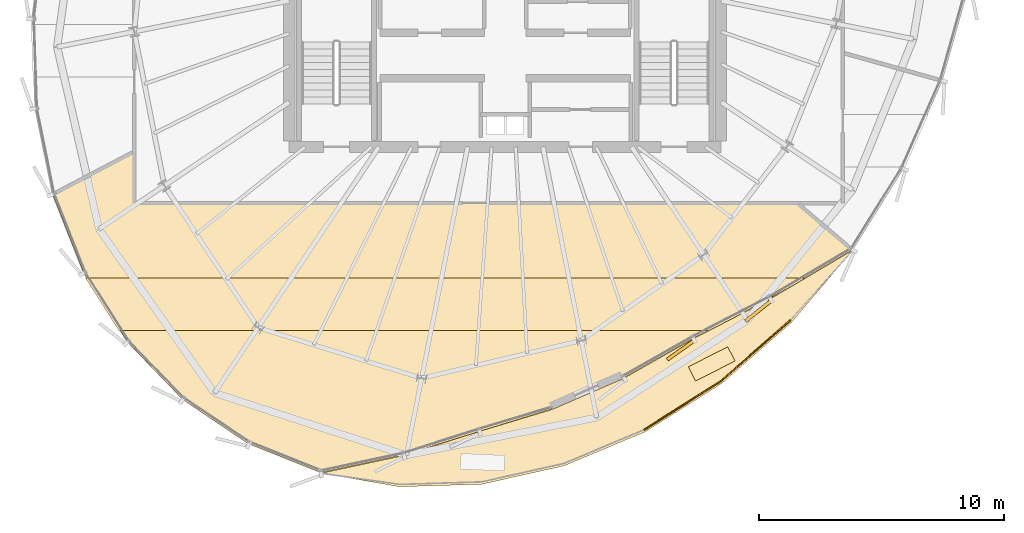
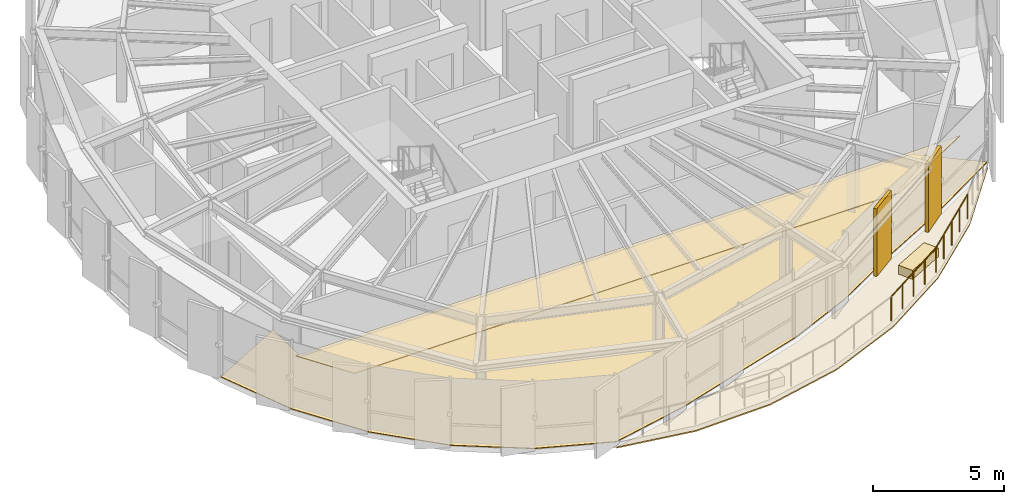
# One storey, part 29 of 31: 6 coverings, 2 railings.
"""IFC4 building model written with IfcOpenShell, lengths in metres."""

from ifc_helpers import new_model, si_unit, direction, frame, origin, origin_2d, place, context, subcontext, project, spatial, polyline, rectangle, circle, outline, extrude, source, transform, mapped, material, layer, layer_set, type_object, element, save


model = new_model("IFC4")

# Units and contexts
model_context = context("Model", 3, precision=1e-05, world=origin(), true_north=direction((0.0, 1.0)))
body_context = subcontext(model_context, "Body", "Model", "MODEL_VIEW")
ifc_project = project(units=[si_unit("LENGTHUNIT", "METRE"), si_unit("AREAUNIT", "SQUARE_METRE"), si_unit("VOLUMEUNIT", "CUBIC_METRE"), si_unit("PLANEANGLEUNIT", "RADIAN"), si_unit("MASSUNIT", "GRAM", prefix="KILO"), si_unit("THERMODYNAMICTEMPERATUREUNIT", "KELVIN")], contexts=[model_context])

# Site, building, storey
site_placement = place(None, origin())
site = spatial("IfcSite", under=ifc_project, at=site_placement, CompositionType="ELEMENT")
building_placement = place(site_placement, origin())
building = spatial("IfcBuilding", under=site, at=building_placement, Name="Kethvar Cultural Tower", CompositionType="ELEMENT")
storey_placement = place(building_placement, frame((0.0, 0.0, 283.60009765625)))
storey = spatial("IfcBuildingStorey", under=building, at=storey_placement, Name="L75", CompositionType="ELEMENT", Elevation=283.60009765625)

# Coverings
ifc_material_1 = material(Name="Acoustic Mineral Fibre Ceiling")
ifc_layer_1 = layer(ifc_material_1, 0.0400390625, Name="Acoustic Mineral Fibre Ceiling")
ifc_layer_set_1 = layer_set([ifc_layer_1], Name="Acoustic Mineral Fibre Ceiling (40 mm)")
covering_type_1 = type_object("IfcCoveringType", Name="CV-ACOUSTIC-CEIL", PredefinedType="CEILING", material=ifc_layer_set_1)
covering_1_placement = place(storey_placement, frame((0.0, 0.0, 2.559814453125)))
element("IfcCovering", 1, at=covering_1_placement, inside=storey, type_object=covering_type_1, Name="L75 Room 01 Acoustic Ceiling Panel", PredefinedType="CEILING", context=body_context, shape_type="SweptSolid", body=[
    extrude(outline(polyline([(59.0849609375, 14.75830078125), (55.139892578125, 12.6083984375), (31.063720703125, 12.6083984375), (29.695556640625, 14.75830078125), (59.0849609375, 14.75830078125)])), origin(), (0.0, 0.0, 1.0), 0.0400390625),
])
ifc_material_2 = material(Name="Insulated Waterproofing Membrane")
ifc_layer_2 = layer(ifc_material_2, 0.06005859375, Name="Insulated Waterproofing Membrane")
ifc_layer_set_2 = layer_set([ifc_layer_2], Name="Insulated Waterproofing Membrane (60 mm)")
covering_type_2 = type_object("IfcCoveringType", Name="CV-ROOF-MEMB", PredefinedType="ROOFING", material=ifc_layer_set_2)
covering_2_placement = place(storey_placement, frame((0.0, 0.0, -0.275146484375)))
element("IfcCovering", 2, at=covering_2_placement, inside=storey, type_object=covering_type_2, Name="L75 Terrace Waterproofing", PredefinedType="ROOFING", context=body_context, shape_type="SweptSolid", body=[
    extrude(outline(polyline([(39.2919921875, 6.802001953125), (42.498779296875, 6.248291015625), (45.83642578125, 6.34912109375), (49.203369140625, 7.101806640625), (52.4970703125, 8.4833984375), (55.617919921875, 10.451904296875), (58.470703125, 12.94775390625), (60.96875, 15.89453125), (57.60400390625, 13.90673828125), (54.468994140625, 12.283447265625), (51.613037109375, 10.660888671875), (48.710693359375, 9.399658203125), (45.757080078125, 8.509765625), (42.676513671875, 7.528564453125), (39.2919921875, 6.802001953125)])), origin(), (0.0, 0.0, 1.0), 0.06005859375),
])
ifc_material_3 = material(Name="Honed Warm Limestone", Category="masonry")
ifc_layer_3 = layer(ifc_material_3, 0.030029296875, Name="Honed Warm Limestone", Category="masonry")
ifc_layer_set_3 = layer_set([ifc_layer_3], Name="Honed Warm Limestone (30 mm)")
covering_type_3 = type_object("IfcCoveringType", Name="CV-STONE-FLOOR", PredefinedType="FLOORING", material=ifc_layer_set_3)
covering_3_placement = place(storey_placement, origin())
element("IfcCovering", 3, at=covering_3_placement, inside=storey, type_object=covering_type_3, Name="L75 Room 01 Floor Finish", PredefinedType="FLOORING", context=body_context, shape_type="SweptSolid", body=[
    extrude(outline(polyline([(57.59423828125, 13.92431640625), (54.459716796875, 12.30126953125), (51.60400390625, 10.6787109375), (48.703857421875, 9.41845703125), (42.67138671875, 7.5478515625), (39.293701171875, 6.822998046875), (36.32275390625, 8.01171875), (33.666015625, 9.80322265625), (31.408203125, 12.14111328125), (29.617919921875, 14.955078125), (28.355224609375, 18.144287109375), (31.659912109375, 19.8701171875), (31.677978515625, 17.787109375), (58.685546875, 17.787109375), (60.934326171875, 15.8974609375), (57.59423828125, 13.92431640625)])), origin(), (0.0, 0.0, 1.0), 0.02978515625),
])

# Railings
ifc_material_4 = material(Name="Steel S355J2", Category="steel")
railing_type = type_object("IfcRailingType", Name="RL-EXT-GUARD-1150", PredefinedType="BALUSTRADE", material=ifc_material_4)
railing_1_placement = place(storey_placement, frame((52.46875, 8.579345703125, 0.0)))
element("IfcRailing", 4, at=railing_1_placement, inside=storey, type_object=railing_type, Name="L75 Spiralling Terrace Balustrade 05", PredefinedType="BALUSTRADE", context=body_context, shape_type="SweptSolid", body=[
    extrude(circle(Radius=0.02392578125, at=origin_2d()), frame((0.0, 0.0, 1.1259765625), z_axis=(0.845316637412, 0.534265647889, 0.0), x_axis=(-0.534265647889, 0.845316637412, 0.0)), (0.0, 0.0, 1.0), 3.671630859375),
    extrude(circle(Radius=0.02099609375, at=origin_2d()), origin(), (0.0, 0.0, 1.0), 1.101806640625),
    extrude(circle(Radius=0.02099609375, at=origin_2d()), frame((0.77587890625, 0.490478515625, 0.0)), (0.0, 0.0, 1.0), 1.101806640625),
    extrude(circle(Radius=0.02099609375, at=origin_2d()), frame((1.5517578125, 0.98095703125, 0.0)), (0.0, 0.0, 1.0), 1.101806640625),
    extrude(circle(Radius=0.02099609375, at=origin_2d()), frame((2.327880859375, 1.47119140625, 0.0)), (0.0, 0.0, 1.0), 1.101806640625),
    extrude(circle(Radius=0.02099609375, at=origin_2d()), frame((3.103759765625, 1.961669921875, 0.0)), (0.0, 0.0, 1.0), 1.101806640625),
])
railing_2_placement = place(storey_placement, frame((55.572509765625, 10.541015625, 0.0)))
element("IfcRailing", 5, at=railing_2_placement, inside=storey, type_object=railing_type, Name="L75 Spiralling Terrace Balustrade 06", PredefinedType="BALUSTRADE", context=body_context, shape_type="SweptSolid", body=[
    extrude(circle(Radius=0.02392578125, at=origin_2d()), frame((0.0, 0.0, 1.1259765625), z_axis=(0.752091222535, 0.659059020867, 0.0), x_axis=(-0.659059020867, 0.752091222535, 0.0)), (0.0, 0.0, 1.0), 3.77099609375),
    extrude(circle(Radius=0.02099609375, at=origin_2d()), origin(), (0.0, 0.0, 1.0), 1.101806640625),
    extrude(circle(Radius=0.02099609375, at=origin_2d()), frame((0.708984375, 0.621337890625, 0.0)), (0.0, 0.0, 1.0), 1.101806640625),
    extrude(circle(Radius=0.02099609375, at=origin_2d()), frame((1.41796875, 1.24267578125, 0.0)), (0.0, 0.0, 1.0), 1.101806640625),
    extrude(circle(Radius=0.02099609375, at=origin_2d()), frame((2.127197265625, 1.864013671875, 0.0)), (0.0, 0.0, 1.0), 1.101806640625),
    extrude(circle(Radius=0.02099609375, at=origin_2d()), frame((2.836181640625, 2.4853515625, 0.0)), (0.0, 0.0, 1.0), 1.101806640625),
])

# Coverings
ifc_material_5 = material(Name="Extruded Architectural Terracotta", Category="masonry")
ifc_layer_4 = layer(ifc_material_5, 0.419921875, Name="Extruded Architectural Terracotta", Category="masonry")
ifc_layer_set_4 = layer_set([ifc_layer_4], Name="Extruded Architectural Terracotta (420 mm)")
covering_type_4 = type_object("IfcCoveringType", Name="Terracotta Terrace Planter PLANTER-01", PredefinedType="USERDEFINED", material=ifc_layer_set_4)
shared_shape_1 = source(origin(), body_context, "Body", "SweptSolid", [
    extrude(rectangle(XDim=1.800048828125, YDim=0.64990234375, at=origin_2d()), origin(), (0.0, 0.0, 1.0), 0.419921875),
])
covering_4_placement = place(storey_placement, frame((55.2099609375, 11.25439453125, 0.0), z_axis=(0.0, 0.0, 1.0), x_axis=(0.891481453292, 0.453057191132, 0.0)))
element("IfcCovering", 6, at=covering_4_placement, inside=storey, type_object=covering_type_4, Name="L75 Sky Terrace Planter Box B", ObjectType="PLANTER", PredefinedType="USERDEFINED", context=body_context, shape_type="MappedRepresentation", body=[
    mapped(shared_shape_1, transform((0.0, 0.0, 0.0), scale=1.0)),
])
ifc_layer_5 = layer(ifc_material_5, 0.135009765625, Name="Extruded Architectural Terracotta", Category="masonry")
ifc_layer_set_5 = layer_set([ifc_layer_5], Name="Extruded Architectural Terracotta (135 mm)")
covering_type_5 = type_object("IfcCoveringType", Name="Terracotta Facade Fin FIN-03", PredefinedType="CLADDING", material=ifc_layer_set_5)
shared_shape_2 = source(origin(), body_context, "Body", "SweptSolid", [
    extrude(rectangle(XDim=1.35009765625, YDim=0.135009765625, at=origin_2d()), origin(), (0.0, 0.0, 1.0), 3.169921875),
])
for number, where, z_axis, x_axis, name in (
    (7, (53.955078125, 11.82177734375, 0.02001953125), (0.0, 0.0, 1.0), (-0.815430994891, -0.57885429304, 0.0), "L75 Vertical Terracotta Fin 5.2"),
    (8, (57.116943359375, 13.4169921875, 0.02001953125), (0.0, 0.0, 1.0), (-0.781847027868, -0.623470308046, 0.0), "L75 Vertical Terracotta Fin 5.3"),
):
    element("IfcCovering", number, at=place(storey_placement, frame(where, z_axis=z_axis, x_axis=x_axis)), inside=storey, type_object=covering_type_5, Name=name, PredefinedType="CLADDING", context=body_context, shape_type="MappedRepresentation", body=[
        mapped(shared_shape_2, transform((0.0, 0.0, 0.0), scale=1.0)),
    ])

save(model, "model.ifc")
